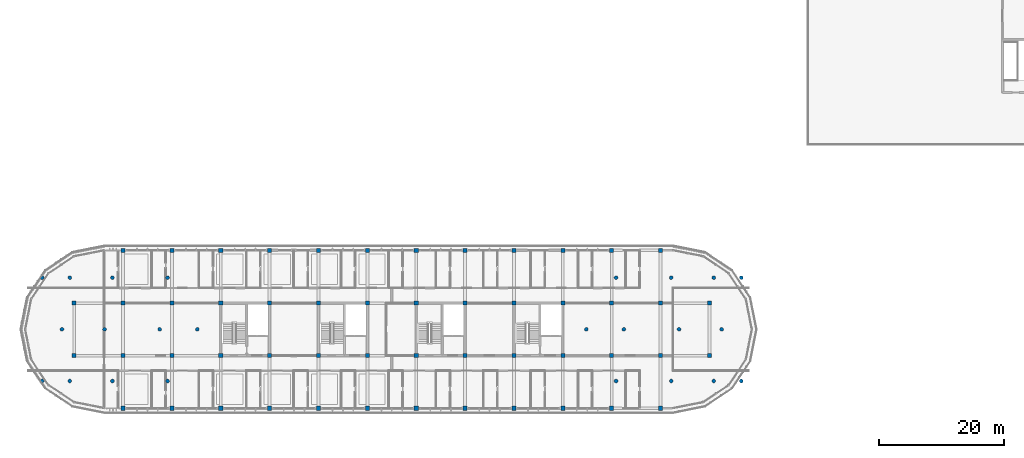
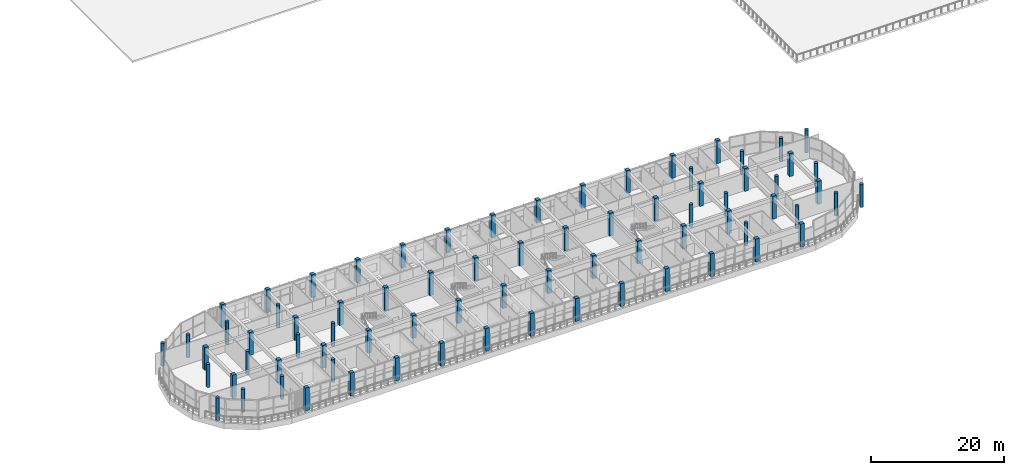
# One storey, part 1 of 63: 76 columns.
"""IFC4 building model written with IfcOpenShell, lengths in metres."""

from ifc_helpers import new_model, si_unit, direction, frame, origin, origin_2d, place, context, subcontext, project, spatial, rectangle, circle, extrude, material, material_profile, profile_set, type_object, element, save


model = new_model("IFC4")

# Units and contexts
model_context = context("Model", 3, precision=1e-05, world=origin(), true_north=direction((0.0, 1.0)))
body_context = subcontext(model_context, "Body", "Model", "MODEL_VIEW")
ifc_project = project(units=[si_unit("LENGTHUNIT", "METRE"), si_unit("AREAUNIT", "SQUARE_METRE"), si_unit("VOLUMEUNIT", "CUBIC_METRE"), si_unit("PLANEANGLEUNIT", "RADIAN"), si_unit("MASSUNIT", "GRAM", prefix="KILO")], contexts=[model_context])

# Site, building, storey
site_placement = place(None, origin())
site = spatial("IfcSite", under=ifc_project, at=site_placement, CompositionType="ELEMENT")
building_placement = place(site_placement, origin())
building = spatial("IfcBuilding", under=site, at=building_placement, Name="Zizhar Promenade General Hospital", CompositionType="ELEMENT")
storey_placement = place(building_placement, frame((0.0, 0.0, 18.0)))
storey = spatial("IfcBuildingStorey", under=building, at=storey_placement, Name="L04", CompositionType="ELEMENT", Elevation=18.0)

# Columns
ifc_material_1 = material(Name="Concrete C40/50", Category="concrete")
ifc_material_profile_1 = material_profile(ifc_material_1, circle(Radius=0.300048828125, at=origin_2d()))
ifc_profile_set_1 = profile_set([ifc_material_profile_1], Name="Concrete C40/50")
column_type_1 = type_object("IfcColumnType", Name="COL-CIRC-600", PredefinedType="PILASTER", material=ifc_profile_set_1)
for number, where, z_axis, x_axis, name in (
    (1, (18.300048828125, 4.35009765625, 0.0), (0.0, 0.0, 1.0), (1.0, 0.0, 0.0), "Ward Terrace Interior Support Column L06-W0 (L04)"),
    (2, (18.300048828125, 20.85009765625, 0.0), (0.0, 0.0, 1.0), (1.0, 0.0, 0.0), "Ward Terrace Interior Support Column L06-W1 (L04)"),
    (3, (21.449951171875, 12.60009765625, 0.0), (0.0, 0.0, 1.0), (1.0, 0.0, 0.0), "Ward Terrace Interior Support Column L06-W2 (L04)"),
    (4, (129.89990234375, 4.35009765625, 0.0), (0.0, 0.0, 1.0), (1.0, 0.0, 0.0), "Ward Terrace Interior Support Column L06-E0 (L04)"),
    (5, (129.89990234375, 20.85009765625, 0.0), (0.0, 0.0, 1.0), (1.0, 0.0, 0.0), "Ward Terrace Interior Support Column L06-E1 (L04)"),
    (6, (126.75, 12.60009765625, 0.0), (0.0, 0.0, 1.0), (1.0, 0.0, 0.0), "Ward Terrace Interior Support Column L06-E2 (L04)"),
    (7, (22.699951171875, 4.35009765625, 0.0), (0.0, 0.0, 1.0), (1.0, 0.0, 0.0), "Ward Terrace Interior Support Column L07-W0 (L04)"),
    (8, (22.699951171875, 20.85009765625, 0.0), (0.0, 0.0, 1.0), (1.0, 0.0, 0.0), "Ward Terrace Interior Support Column L07-W1 (L04)"),
    (9, (28.25, 12.60009765625, 0.0), (0.0, 0.0, 1.0), (1.0, 0.0, 0.0), "Ward Terrace Interior Support Column L07-W2 (L04)"),
    (10, (125.5, 4.35009765625, 0.0), (0.0, 0.0, 1.0), (1.0, 0.0, 0.0), "Ward Terrace Interior Support Column L07-E0 (L04)"),
    (11, (125.5, 20.85009765625, 0.0), (0.0, 0.0, 1.0), (1.0, 0.0, 0.0), "Ward Terrace Interior Support Column L07-E1 (L04)"),
    (12, (119.949951171875, 12.60009765625, 0.0), (0.0, 0.0, 1.0), (1.0, 0.0, 0.0), "Ward Terrace Interior Support Column L07-E2 (L04)"),
    (13, (29.5, 4.35009765625, 0.0), (0.0, 0.0, 1.0), (1.0, 0.0, 0.0), "Ward Terrace Interior Support Column L08-W0 (L04)"),
    (14, (29.5, 20.85009765625, 0.0), (0.0, 0.0, 1.0), (1.0, 0.0, 0.0), "Ward Terrace Interior Support Column L08-W1 (L04)"),
    (15, (37.050048828125, 12.60009765625, 0.0), (0.0, 0.0, 1.0), (1.0, 0.0, 0.0), "Ward Terrace Interior Support Column L08-W2 (L04)"),
    (16, (118.699951171875, 4.35009765625, 0.0), (0.0, 0.0, 1.0), (1.0, 0.0, 0.0), "Ward Terrace Interior Support Column L08-E0 (L04)"),
    (17, (118.699951171875, 20.85009765625, 0.0), (0.0, 0.0, 1.0), (1.0, 0.0, 0.0), "Ward Terrace Interior Support Column L08-E1 (L04)"),
    (18, (111.14990234375, 12.60009765625, 0.0), (0.0, 0.0, 1.0), (1.0, 0.0, 0.0), "Ward Terrace Interior Support Column L08-E2 (L04)"),
    (19, (38.300048828125, 4.35009765625, 0.0), (0.0, 0.0, 1.0), (1.0, 0.0, 0.0), "Ward Terrace Interior Support Column L09-W0 (L04)"),
    (20, (38.300048828125, 20.85009765625, 0.0), (0.0, 0.0, 1.0), (1.0, 0.0, 0.0), "Ward Terrace Interior Support Column L09-W1 (L04)"),
    (21, (43.050048828125, 12.60009765625, 0.0), (0.0, 0.0, 1.0), (1.0, 0.0, 0.0), "Ward Terrace Interior Support Column L09-W2 (L04)"),
    (22, (109.89990234375, 4.35009765625, 0.0), (0.0, 0.0, 1.0), (1.0, 0.0, 0.0), "Ward Terrace Interior Support Column L09-E0 (L04)"),
    (23, (109.89990234375, 20.85009765625, 0.0), (0.0, 0.0, 1.0), (1.0, 0.0, 0.0), "Ward Terrace Interior Support Column L09-E1 (L04)"),
    (24, (105.14990234375, 12.60009765625, 0.0), (0.0, 0.0, 1.0), (1.0, 0.0, 0.0), "Ward Terrace Interior Support Column L09-E2 (L04)"),
):
    element("IfcColumn", number, at=place(storey_placement, frame(where, z_axis=z_axis, x_axis=x_axis)), inside=storey, type_object=column_type_1, Name=name, PredefinedType="PILASTER", context=body_context, shape_type="SweptSolid", body=[
        extrude(circle(Radius=0.300048828125, at=origin_2d()), origin(), (0.0, 0.0, 1.0), 4.199951171875),
    ])
ifc_material_2 = material(Name="Concrete C40/50", Category="concrete")
ifc_material_profile_2 = material_profile(ifc_material_2, rectangle(XDim=0.64990234375, YDim=0.64990234375, at=origin_2d()))
ifc_profile_set_2 = profile_set([ifc_material_profile_2], Name="Concrete C40/50")
column_type_2 = type_object("IfcColumnType", Name="COL-RC-650", PredefinedType="COLUMN", material=ifc_profile_set_2)
for number, where, z_axis, x_axis, name in (
    (25, (23.39990234375, 8.39990234375, 0.0), (0.0, 0.0, 1.0), (1.0, 0.0, 0.0), "Column 4-B (L04)"),
    (26, (23.39990234375, 16.800048828125, 0.0), (0.0, 0.0, 1.0), (1.0, 0.0, 0.0), "Column 4-C (L04)"),
    (27, (31.199951171875, 0.0, 0.0), (0.0, 0.0, 1.0), (1.0, 0.0, 0.0), "Column 5-A (L04)"),
    (28, (31.199951171875, 8.39990234375, 0.0), (0.0, 0.0, 1.0), (1.0, 0.0, 0.0), "Column 5-B (L04)"),
    (29, (31.199951171875, 16.800048828125, 0.0), (0.0, 0.0, 1.0), (1.0, 0.0, 0.0), "Column 5-C (L04)"),
    (30, (31.199951171875, 25.199951171875, 0.0), (0.0, 0.0, 1.0), (1.0, 0.0, 0.0), "Column 5-D (L04)"),
    (31, (39.0, 0.0, 0.0), (0.0, 0.0, 1.0), (1.0, 0.0, 0.0), "Column 6-A (L04)"),
    (32, (39.0, 8.39990234375, 0.0), (0.0, 0.0, 1.0), (1.0, 0.0, 0.0), "Column 6-B (L04)"),
    (33, (39.0, 16.800048828125, 0.0), (0.0, 0.0, 1.0), (1.0, 0.0, 0.0), "Column 6-C (L04)"),
    (34, (39.0, 25.199951171875, 0.0), (0.0, 0.0, 1.0), (1.0, 0.0, 0.0), "Column 6-D (L04)"),
    (35, (46.800048828125, 0.0, 0.0), (0.0, 0.0, 1.0), (1.0, 0.0, 0.0), "Column 7-A (L04)"),
    (36, (46.800048828125, 8.39990234375, 0.0), (0.0, 0.0, 1.0), (1.0, 0.0, 0.0), "Column 7-B (L04)"),
    (37, (46.800048828125, 16.800048828125, 0.0), (0.0, 0.0, 1.0), (1.0, 0.0, 0.0), "Column 7-C (L04)"),
    (38, (46.800048828125, 25.199951171875, 0.0), (0.0, 0.0, 1.0), (1.0, 0.0, 0.0), "Column 7-D (L04)"),
    (39, (54.60009765625, 0.0, 0.0), (0.0, 0.0, 1.0), (1.0, 0.0, 0.0), "Column 8-A (L04)"),
    (40, (54.60009765625, 8.39990234375, 0.0), (0.0, 0.0, 1.0), (1.0, 0.0, 0.0), "Column 8-B (L04)"),
    (41, (54.60009765625, 16.800048828125, 0.0), (0.0, 0.0, 1.0), (1.0, 0.0, 0.0), "Column 8-C (L04)"),
    (42, (54.60009765625, 25.199951171875, 0.0), (0.0, 0.0, 1.0), (1.0, 0.0, 0.0), "Column 8-D (L04)"),
    (43, (62.39990234375, 0.0, 0.0), (0.0, 0.0, 1.0), (1.0, 0.0, 0.0), "Column 9-A (L04)"),
    (44, (62.39990234375, 8.39990234375, 0.0), (0.0, 0.0, 1.0), (1.0, 0.0, 0.0), "Column 9-B (L04)"),
    (45, (62.39990234375, 16.800048828125, 0.0), (0.0, 0.0, 1.0), (1.0, 0.0, 0.0), "Column 9-C (L04)"),
    (46, (62.39990234375, 25.199951171875, 0.0), (0.0, 0.0, 1.0), (1.0, 0.0, 0.0), "Column 9-D (L04)"),
    (47, (70.199951171875, 0.0, 0.0), (0.0, 0.0, 1.0), (1.0, 0.0, 0.0), "Column 10-A (L04)"),
    (48, (70.199951171875, 8.39990234375, 0.0), (0.0, 0.0, 1.0), (1.0, 0.0, 0.0), "Column 10-B (L04)"),
    (49, (70.199951171875, 16.800048828125, 0.0), (0.0, 0.0, 1.0), (1.0, 0.0, 0.0), "Column 10-C (L04)"),
    (50, (70.199951171875, 25.199951171875, 0.0), (0.0, 0.0, 1.0), (1.0, 0.0, 0.0), "Column 10-D (L04)"),
    (51, (78.0, 0.0, 0.0), (0.0, 0.0, 1.0), (1.0, 0.0, 0.0), "Column 11-A (L04)"),
    (52, (78.0, 8.39990234375, 0.0), (0.0, 0.0, 1.0), (1.0, 0.0, 0.0), "Column 11-B (L04)"),
    (53, (78.0, 16.800048828125, 0.0), (0.0, 0.0, 1.0), (1.0, 0.0, 0.0), "Column 11-C (L04)"),
    (54, (78.0, 25.199951171875, 0.0), (0.0, 0.0, 1.0), (1.0, 0.0, 0.0), "Column 11-D (L04)"),
    (55, (85.800048828125, 0.0, 0.0), (0.0, 0.0, 1.0), (1.0, 0.0, 0.0), "Column 12-A (L04)"),
    (56, (85.800048828125, 8.39990234375, 0.0), (0.0, 0.0, 1.0), (1.0, 0.0, 0.0), "Column 12-B (L04)"),
    (57, (85.800048828125, 16.800048828125, 0.0), (0.0, 0.0, 1.0), (1.0, 0.0, 0.0), "Column 12-C (L04)"),
    (58, (85.800048828125, 25.199951171875, 0.0), (0.0, 0.0, 1.0), (1.0, 0.0, 0.0), "Column 12-D (L04)"),
    (59, (93.60009765625, 0.0, 0.0), (0.0, 0.0, 1.0), (1.0, 0.0, 0.0), "Column 13-A (L04)"),
    (60, (93.60009765625, 8.39990234375, 0.0), (0.0, 0.0, 1.0), (1.0, 0.0, 0.0), "Column 13-B (L04)"),
    (61, (93.60009765625, 16.800048828125, 0.0), (0.0, 0.0, 1.0), (1.0, 0.0, 0.0), "Column 13-C (L04)"),
    (62, (93.60009765625, 25.199951171875, 0.0), (0.0, 0.0, 1.0), (1.0, 0.0, 0.0), "Column 13-D (L04)"),
    (63, (101.39990234375, 0.0, 0.0), (0.0, 0.0, 1.0), (1.0, 0.0, 0.0), "Column 14-A (L04)"),
    (64, (101.39990234375, 8.39990234375, 0.0), (0.0, 0.0, 1.0), (1.0, 0.0, 0.0), "Column 14-B (L04)"),
    (65, (101.39990234375, 16.800048828125, 0.0), (0.0, 0.0, 1.0), (1.0, 0.0, 0.0), "Column 14-C (L04)"),
    (66, (101.39990234375, 25.199951171875, 0.0), (0.0, 0.0, 1.0), (1.0, 0.0, 0.0), "Column 14-D (L04)"),
    (67, (109.199951171875, 0.0, 0.0), (0.0, 0.0, 1.0), (1.0, 0.0, 0.0), "Column 15-A (L04)"),
    (68, (109.199951171875, 8.39990234375, 0.0), (0.0, 0.0, 1.0), (1.0, 0.0, 0.0), "Column 15-B (L04)"),
    (69, (109.199951171875, 16.800048828125, 0.0), (0.0, 0.0, 1.0), (1.0, 0.0, 0.0), "Column 15-C (L04)"),
    (70, (109.199951171875, 25.199951171875, 0.0), (0.0, 0.0, 1.0), (1.0, 0.0, 0.0), "Column 15-D (L04)"),
    (71, (117.0, 0.0, 0.0), (0.0, 0.0, 1.0), (1.0, 0.0, 0.0), "Column 16-A (L04)"),
    (72, (117.0, 8.39990234375, 0.0), (0.0, 0.0, 1.0), (1.0, 0.0, 0.0), "Column 16-B (L04)"),
    (73, (117.0, 16.800048828125, 0.0), (0.0, 0.0, 1.0), (1.0, 0.0, 0.0), "Column 16-C (L04)"),
    (74, (117.0, 25.199951171875, 0.0), (0.0, 0.0, 1.0), (1.0, 0.0, 0.0), "Column 16-D (L04)"),
    (75, (124.800048828125, 8.39990234375, 0.0), (0.0, 0.0, 1.0), (1.0, 0.0, 0.0), "Column 17-B (L04)"),
    (76, (124.800048828125, 16.800048828125, 0.0), (0.0, 0.0, 1.0), (1.0, 0.0, 0.0), "Column 17-C (L04)"),
):
    element("IfcColumn", number, at=place(storey_placement, frame(where, z_axis=z_axis, x_axis=x_axis)), inside=storey, type_object=column_type_2, Name=name, PredefinedType="COLUMN", context=body_context, shape_type="SweptSolid", body=[
        extrude(rectangle(XDim=0.64990234375, YDim=0.64990234375, at=origin_2d()), origin(), (0.0, 0.0, 1.0), 4.199951171875),
    ])

save(model, "model.ifc")
